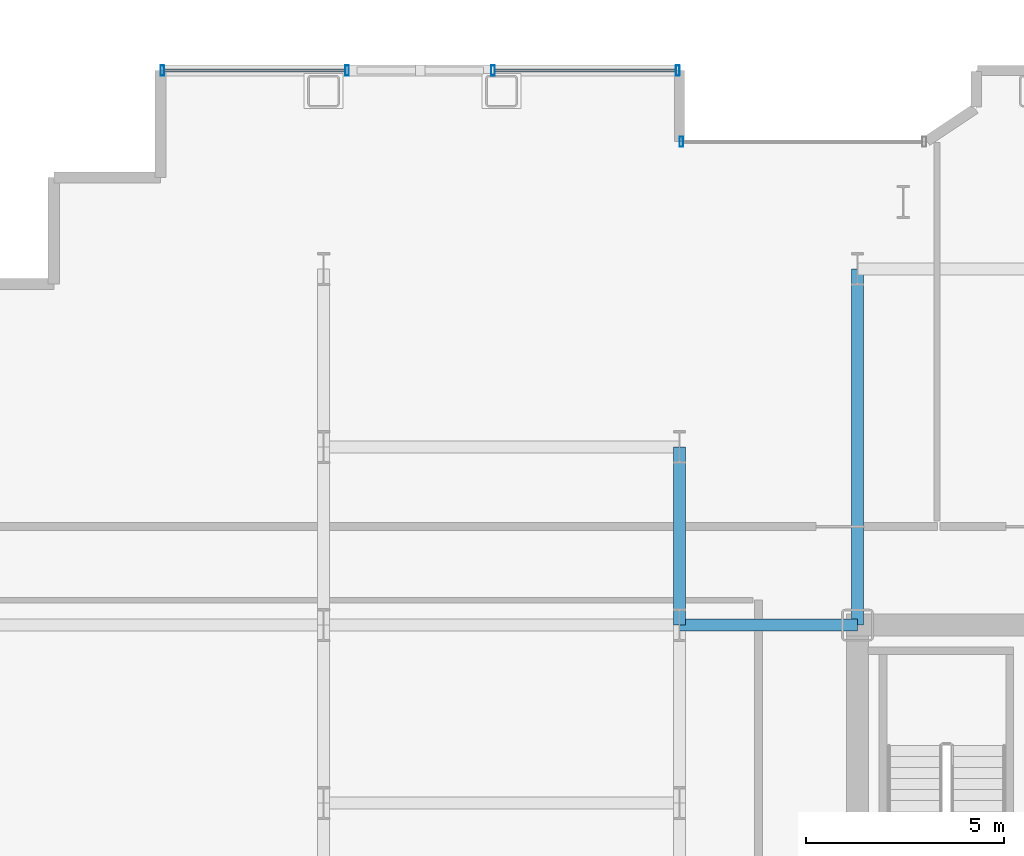
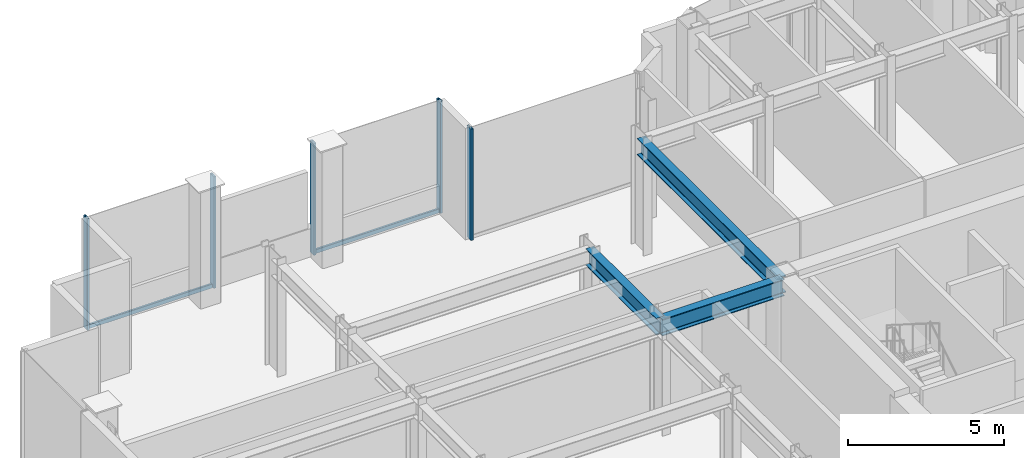
# One storey, part 12 of 26: 7 members, 3 beams, 3 elements without a shape of their own.
"""IFC4 building model written with IfcOpenShell, lengths in metres."""

import ifcopenshell
import ifcopenshell.guid

model = None  # the IFC model being written
_history = None  # IfcOwnerHistory: only IFC2X3 demands one
_inside = {}  # id of a spatial element -> (the spatial element, [elements in it])
_under = {}  # id of a project, library or spatial element -> (it, [spatial elements below it])
_declared = {}  # id of a project -> (the project, [libraries it declares])
_typed = {}  # id of a type object -> (the type object, [elements of that type])
_made_of = {}  # id of a material, layer set ... -> (it, [elements and type objects made of it])


def new_model(schema):
    """Start an empty IFC model of exactly this schema.

    Asked for "IFC4X3", IfcOpenShell would pick the latest addendum, in which some entities
    have other attributes; the version numbers below select the first issue.
    IFC2X3 requires an IfcOwnerHistory on every rooted entity: one is made here for all.
    """
    global model, _history
    if schema == "IFC4X3":
        model = ifcopenshell.file(schema_version=(4, 3, 0, 0))
    else:
        model = ifcopenshell.file(schema=schema)
    _inside.clear()
    _under.clear()
    _declared.clear()
    _typed.clear()
    _made_of.clear()
    _history = None
    if model.schema == "IFC2X3":
        org = make("IfcOrganization", Name="unknown")
        user = make(
            "IfcPersonAndOrganization",
            ThePerson=make("IfcPerson", FamilyName="unknown"),
            TheOrganization=org,
        )
        app = make(
            "IfcApplication",
            ApplicationDeveloper=org,
            Version="unknown",
            ApplicationFullName="unknown",
            ApplicationIdentifier="unknown",
        )
        _history = make(
            "IfcOwnerHistory",
            OwningUser=user,
            OwningApplication=app,
            ChangeAction="ADDED",
            CreationDate=0,
        )
    return model


def make(cls, **values):
    """One entity of the class cls with the attributes given. An attribute that is None is left unset."""
    return model.create_entity(
        cls, **{name: value for name, value in values.items() if value is not None}
    )


def rooted(cls, **values):
    """An entity with a GlobalId (a new one), such as an element, a storey or a relation."""
    return make(cls, GlobalId=ifcopenshell.guid.new(), OwnerHistory=_history, **values)


def si_unit(unit_type, name, prefix=None):
    """IfcSIUnit, for example si_unit("LENGTHUNIT", "METRE", prefix="MILLI")."""
    return make("IfcSIUnit", UnitType=unit_type, Prefix=prefix, Name=name)


def assignment(units):
    """IfcUnitAssignment: the units of a project."""
    return None if units is None else make("IfcUnitAssignment", Units=units)


def point(xyz):
    """IfcCartesianPoint."""
    return None if xyz is None else make("IfcCartesianPoint", Coordinates=xyz)


def direction(xyz):
    """IfcDirection."""
    return None if xyz is None else make("IfcDirection", DirectionRatios=xyz)


def frame(location, z_axis=None, x_axis=None):
    """IfcAxis2Placement3D, a coordinate frame: its origin and axes. An axis left out is left unset."""
    return make(
        "IfcAxis2Placement3D",
        Location=point(location),
        Axis=direction(z_axis),
        RefDirection=direction(x_axis),
    )


def frame_2d(location, x_axis=None):
    """IfcAxis2Placement2D, a coordinate frame in the plane: its origin and x axis."""
    return make(
        "IfcAxis2Placement2D", Location=point(location), RefDirection=direction(x_axis)
    )


def origin():
    """The frame at (0, 0, 0) with its axes left unset."""
    return frame((0.0, 0.0, 0.0))


def origin_2d():
    """The frame at (0, 0) in the plane with its x axis left unset."""
    return frame_2d((0.0, 0.0))


def place(relative_to, where):
    """IfcLocalPlacement: puts the frame where relative to a parent placement (None: the world)."""
    return make(
        "IfcLocalPlacement", PlacementRelTo=relative_to, RelativePlacement=where
    )


def context(
    kind, dimensions, precision=None, world=None, true_north=None, identifier=None
):
    """IfcGeometricRepresentationContext, for example the 3D "Model" context."""
    return make(
        "IfcGeometricRepresentationContext",
        ContextIdentifier=identifier,
        ContextType=kind,
        CoordinateSpaceDimension=dimensions,
        Precision=precision,
        WorldCoordinateSystem=world,
        TrueNorth=true_north,
    )


def subcontext(parent, identifier, kind, view, scale=None):
    """IfcGeometricRepresentationSubContext, for example "Body" below "Model"."""
    return make(
        "IfcGeometricRepresentationSubContext",
        ContextIdentifier=identifier,
        ContextType=kind,
        ParentContext=parent,
        TargetScale=scale,
        TargetView=view,
    )


def project(units=None, contexts=None):
    """IfcProject with its units and contexts."""
    return rooted(
        "IfcProject",
        Name="project",
        RepresentationContexts=contexts,
        UnitsInContext=assignment(units),
    )


def spatial(cls, under=None, at=None, **own):
    """A site, building, storey or space (cls), placed at a placement, below another one or the project."""
    s = rooted(cls, ObjectPlacement=at, **own)
    if under is not None:
        _under.setdefault(under.id(), (under, []))[1].append(s)
    return s


def profile(cls, at=None, kind="AREA", **sizes):
    """A parametric profile (cls). Its sizes go by their IFC names, for example OverallWidth=200.0."""
    return make(cls, ProfileType=kind, Position=at, **sizes)


def hollow_rectangle(**sizes):
    """IfcRectangleHollowProfileDef."""
    return profile("IfcRectangleHollowProfileDef", **sizes)


def i_section(**sizes):
    """IfcIShapeProfileDef."""
    return profile("IfcIShapeProfileDef", **sizes)


def extrude(swept, where, along, depth):
    """IfcExtrudedAreaSolid: the profile swept, set in the frame where, extruded along a direction by depth."""
    return make(
        "IfcExtrudedAreaSolid",
        SweptArea=swept,
        Position=where,
        ExtrudedDirection=direction(along),
        Depth=depth,
    )


def shape(context_of_items, identifier, shape_type, items):
    """IfcShapeRepresentation: the items that make up one representation, for example the "Body"."""
    return make(
        "IfcShapeRepresentation",
        ContextOfItems=context_of_items,
        RepresentationIdentifier=identifier,
        RepresentationType=shape_type,
        Items=items,
    )


def source(mapping_origin, context_of_items, identifier, shape_type, items):
    """IfcRepresentationMap: a shape defined once, which mapped items show again and again."""
    return make(
        "IfcRepresentationMap",
        MappingOrigin=mapping_origin,
        MappedRepresentation=shape(context_of_items, identifier, shape_type, items),
    )


def transform(
    local_origin,
    x_axis=None,
    y_axis=None,
    z_axis=None,
    scale=None,
    scale2=None,
    scale3=None,
    uniform=True,
):
    """IfcCartesianTransformationOperator3D, or its non-uniform kind. x_axis, y_axis, z_axis: its Axis1, 2, 3."""
    if uniform:
        return make(
            "IfcCartesianTransformationOperator3D",
            Axis1=direction(x_axis),
            Axis2=direction(y_axis),
            LocalOrigin=point(local_origin),
            Scale=scale,
            Axis3=direction(z_axis),
        )
    return make(
        "IfcCartesianTransformationOperator3DnonUniform",
        Axis1=direction(x_axis),
        Axis2=direction(y_axis),
        LocalOrigin=point(local_origin),
        Scale=scale,
        Axis3=direction(z_axis),
        Scale2=scale2,
        Scale3=scale3,
    )


def mapped(mapping_source, mapping_target):
    """IfcMappedItem: shows the shape of a source again, moved by a transform."""
    return make(
        "IfcMappedItem", MappingSource=mapping_source, MappingTarget=mapping_target
    )


def material(Name=None, Category=None):
    """IfcMaterial."""
    return make("IfcMaterial", Name=Name, Category=Category)


def layer(
    of_material, thickness, ventilated=None, Name=None, Category=None, Priority=None
):
    """IfcMaterialLayer: one layer of a wall or slab, of a material (None: an air gap)."""
    return make(
        "IfcMaterialLayer",
        Material=of_material,
        LayerThickness=thickness,
        IsVentilated=ventilated,
        Name=Name,
        Category=Category,
        Priority=Priority,
    )


def layer_set(layers, Name=None):
    """IfcMaterialLayerSet."""
    return make("IfcMaterialLayerSet", MaterialLayers=layers, LayerSetName=Name)


def material_profile(
    of_material, cross_section, Name=None, Category=None, Priority=None
):
    """IfcMaterialProfile: a cross section and its material."""
    return make(
        "IfcMaterialProfile",
        Name=Name,
        Material=of_material,
        Profile=cross_section,
        Priority=Priority,
        Category=Category,
    )


def profile_set(profiles, Name=None, composite=None):
    """IfcMaterialProfileSet."""
    return make(
        "IfcMaterialProfileSet",
        Name=Name,
        MaterialProfiles=profiles,
        CompositeProfile=composite,
    )


def made_of(thing, what):
    """Note that an element or type object is made of a material, layer set ...; save() writes the relation."""
    if what is not None:
        _made_of.setdefault(what.id(), (what, []))[1].append(thing)
    return thing


def type_object(cls, material=None, **own):
    """A type object (cls), such as IfcWallType, which elements share."""
    return made_of(rooted(cls, **own), material)


def element(
    cls,
    number,
    at=None,
    inside=None,
    cuts=None,
    type_object=None,
    material=None,
    context=None,
    identifier="Body",
    shape_type=None,
    held_by="IfcProductDefinitionShape",
    body=None,
    shapes=None,
    **own,
):
    """One element of the class cls, such as IfcWall. Its Tag is "e" and its number.

    at: its placement. inside: the storey or other place that contains it. cuts: it is an
    opening in that element (IfcRelVoidsElement). A single representation is given by context,
    identifier, shape_type and body (its items); several are given by shapes. held_by: the class
    of the entity that holds the representations. save() writes the other relations.
    """
    e = rooted(cls, Tag="e%d" % number, ObjectPlacement=at, **own)
    if body is not None:
        shapes = [shape(context, identifier, shape_type, body)]
    if shapes is not None:
        e.Representation = make(held_by, Representations=shapes)
    if inside is not None:
        _inside.setdefault(inside.id(), (inside, []))[1].append(e)
    if cuts is not None:
        rooted(
            "IfcRelVoidsElement", RelatingBuildingElement=cuts, RelatedOpeningElement=e
        )
    if type_object is not None:
        _typed.setdefault(type_object.id(), (type_object, []))[1].append(e)
    return made_of(e, material)


def aggregate(whole, parts):
    """IfcRelAggregates: a whole, such as a stair, and the parts it consists of."""
    return rooted("IfcRelAggregates", RelatingObject=whole, RelatedObjects=parts)


def save(model, path):
    """Write the relations noted so far, then the file.

    IfcRelAggregates (storeys below a building ...), IfcRelContainedInSpatialStructure (elements
    in a storey), IfcRelDefinesByType, IfcRelAssociatesMaterial and IfcRelDeclares: one each for
    every whole, place, type object, material and project.
    """
    for whole, parts in _under.values():
        aggregate(whole, parts)
    for where, things in _inside.values():
        rooted(
            "IfcRelContainedInSpatialStructure",
            RelatedElements=things,
            RelatingStructure=where,
        )
    for kind, things in _typed.values():
        rooted("IfcRelDefinesByType", RelatedObjects=things, RelatingType=kind)
    for what, things in _made_of.values():
        rooted("IfcRelAssociatesMaterial", RelatedObjects=things, RelatingMaterial=what)
    for by, libraries in _declared.values():
        rooted("IfcRelDeclares", RelatingContext=by, RelatedDefinitions=libraries)
    model.write(path)


model = new_model("IFC4")

# Units and contexts
model_context = context("Model", 3, precision=1e-05, world=origin(), true_north=direction((0.0, 1.0)))
body_context = subcontext(model_context, "Body", "Model", "MODEL_VIEW")
ifc_project = project(units=[si_unit("LENGTHUNIT", "METRE"), si_unit("AREAUNIT", "SQUARE_METRE"), si_unit("VOLUMEUNIT", "CUBIC_METRE"), si_unit("PLANEANGLEUNIT", "RADIAN"), si_unit("MASSUNIT", "GRAM", prefix="KILO")], contexts=[model_context])

# Site, building, storey
site_placement = place(None, origin())
site = spatial("IfcSite", under=ifc_project, at=site_placement, CompositionType="ELEMENT")
building_placement = place(site_placement, origin())
building = spatial("IfcBuilding", under=site, at=building_placement, Name="Nefas-Gora Pilgrimage Tower", CompositionType="ELEMENT")
storey_placement = place(building_placement, frame((0.0, 0.0, 202.0)))
storey = spatial("IfcBuildingStorey", under=building, at=storey_placement, Name="L50", CompositionType="ELEMENT", Elevation=202.0)

# Beams
ifc_material_1 = material(Name="Steel S355", Category="steel")
ifc_material_profile_1 = material_profile(ifc_material_1, i_section(OverallWidth=0.300048828125, OverallDepth=0.64990234375, WebThickness=0.01611328125, FlangeThickness=0.031005859375, FilletRadius=0.027099609375, at=origin_2d()), Name="HEB 650")
ifc_profile_set_1 = profile_set([ifc_material_profile_1], Name="Steel S355")
beam_type = type_object("IfcBeamType", Name="BM-GIR-HEB650", PredefinedType="BEAM", material=ifc_profile_set_1)
shared_shape_1 = source(origin(), body_context, "Body", "SweptSolid", [
    extrude(i_section(OverallWidth=0.300048828125, OverallDepth=0.64990234375, WebThickness=0.01611328125, FlangeThickness=0.031005859375, FilletRadius=0.027099609375, at=origin_2d()), origin(), (0.0, 0.0, 1.0), 9.0),
])
beam_placement = place(storey_placement, frame((-11.25, 9.0, 4.02490234375), z_axis=(0.0, 1.0, 0.0), x_axis=(-1.0, 0.0, 0.0)))
element("IfcBeam", 1, at=beam_placement, inside=storey, type_object=beam_type, Name="L50 G-03 beam", PredefinedType="BEAM", context=body_context, shape_type="MappedRepresentation", body=[
    mapped(shared_shape_1, transform((0.0, 0.0, 0.0), x_axis=(1.0, 0.0, 0.0), y_axis=(0.0, 1.0, 0.0), z_axis=(0.0, 0.0, 1.0), scale=1.0)),
])
shared_shape_2 = source(origin(), body_context, "Body", "SweptSolid", [
    extrude(i_section(OverallWidth=0.300048828125, OverallDepth=0.64990234375, WebThickness=0.01611328125, FlangeThickness=0.031005859375, FilletRadius=0.027099609375, at=origin_2d()), origin(), (0.0, 0.0, 1.0), 4.5),
])
for number, where, z_axis, x_axis, name in (
    (2, (-15.75, 9.0, 4.02490234375), (0.0, 1.0, 0.0), (-1.0, 0.0, 0.0), "L50 G-03 beam"),
    (3, (-15.75, 9.0, 4.02490234375), (1.0, 0.0, 0.0), (0.0, 1.0, 0.0), "L50 G-03 beam"),
):
    element("IfcBeam", number, at=place(storey_placement, frame(where, z_axis=z_axis, x_axis=x_axis)), inside=storey, type_object=beam_type, Name=name, PredefinedType="BEAM", context=body_context, shape_type="MappedRepresentation", body=[
        mapped(shared_shape_2, transform((0.0, 0.0, 0.0), x_axis=(1.0, 0.0, 0.0), y_axis=(0.0, 1.0, 0.0), z_axis=(0.0, 0.0, 1.0), scale=1.0)),
    ])

# Curtain wall, member
ifc_material_2 = material(Name="Dark ceramic-fritted solar-control aluminium-glass curtain wall", Category="aluminium")
ifc_layer_1 = layer(ifc_material_2, 0.219970703125)
ifc_layer_set_1 = layer_set([ifc_layer_1], Name="Dark ceramic-fritted solar-control aluminium-glass curtain wall")
curtain_wall_type_1 = type_object("IfcCurtainWallType", Name="CW-SYS-5", PredefinedType="NOTDEFINED", material=ifc_layer_set_1)
curtain_wall_1_placement = place(storey_placement, origin())
curtain_wall_1 = element("IfcCurtainWall", 4, at=curtain_wall_1_placement, inside=storey, type_object=curtain_wall_type_1, Name="L50 Unitised Curtain Wall CW5", PredefinedType="NOTDEFINED")
ifc_material_3 = material(Name="Anodised architectural aluminium", Category="aluminium")
ifc_material_profile_2 = material_profile(ifc_material_3, hollow_rectangle(XDim=0.090087890625, YDim=0.260009765625, WallThickness=0.006103515625, InnerFilletRadius=0.006103515625, OuterFilletRadius=0.011962890625, at=origin_2d()), Name="ALU MULLION 90x260")
ifc_profile_set_2 = profile_set([ifc_material_profile_2], Name="Anodised architectural aluminium")
member_type_1 = type_object("IfcMemberType", Name="CWM-MUL-5", PredefinedType="MULLION", material=ifc_profile_set_2)
shared_shape_3 = source(origin(), body_context, "Body", "SweptSolid", [
    extrude(hollow_rectangle(XDim=0.090087890625, YDim=0.260009765625, WallThickness=0.006103515625, InnerFilletRadius=0.006103515625, OuterFilletRadius=0.011962890625, at=origin_2d()), origin(), (0.0, 0.0, 1.0), 4.35009765625),
])
member_1_placement = place(storey_placement, frame((-15.705078125, 21.219970703125, 0.0), z_axis=(0.0, 0.0, 1.0), x_axis=(-1.0, 0.0, 0.0)))
member_1 = element("IfcMember", 5, at=member_1_placement, type_object=member_type_1, Name="CW5 Mullion 2", PredefinedType="MULLION", context=body_context, shape_type="MappedRepresentation", body=[
    mapped(shared_shape_3, transform((0.0, 0.0, 0.0), x_axis=(1.0, 0.0, 0.0), y_axis=(0.0, 1.0, 0.0), z_axis=(0.0, 0.0, 1.0), scale=1.0)),
])
aggregate(curtain_wall_1, [member_1])

# Curtain wall, members
ifc_layer_2 = layer(ifc_material_2, 0.219970703125)
ifc_layer_set_2 = layer_set([ifc_layer_2], Name="Dark ceramic-fritted solar-control aluminium-glass curtain wall")
curtain_wall_type_2 = type_object("IfcCurtainWallType", Name="CW-SYS-3", PredefinedType="NOTDEFINED", material=ifc_layer_set_2)
curtain_wall_2_placement = place(storey_placement, origin())
curtain_wall_2 = element("IfcCurtainWall", 6, at=curtain_wall_2_placement, inside=storey, type_object=curtain_wall_type_2, Name="L50 Unitised Curtain Wall CW3", PredefinedType="NOTDEFINED")
ifc_material_profile_3 = material_profile(ifc_material_3, hollow_rectangle(XDim=0.090087890625, YDim=0.260009765625, WallThickness=0.006103515625, InnerFilletRadius=0.006103515625, OuterFilletRadius=0.011962890625, at=origin_2d()), Name="ALU MULLION 90x260")
ifc_profile_set_3 = profile_set([ifc_material_profile_3], Name="Anodised architectural aluminium")
member_type_2 = type_object("IfcMemberType", Name="CWM-MUL-3", PredefinedType="MULLION", material=ifc_profile_set_3)
shared_shape_4 = source(origin(), body_context, "Body", "SweptSolid", [
    extrude(hollow_rectangle(XDim=0.090087890625, YDim=0.260009765625, WallThickness=0.006103515625, InnerFilletRadius=0.006103515625, OuterFilletRadius=0.011962890625, at=origin_2d()), origin(), (0.0, 0.0, 1.0), 4.35009765625),
])
member_2_placement = place(storey_placement, frame((-15.794921875, 23.02001953125, 0.0), z_axis=(0.0, 0.0, 1.0), x_axis=(-1.0, 0.0, 0.0)))
member_2 = element("IfcMember", 7, at=member_2_placement, type_object=member_type_2, Name="CW3 Mullion 1", PredefinedType="MULLION", context=body_context, shape_type="MappedRepresentation", body=[
    mapped(shared_shape_4, transform((0.0, 0.0, 0.0), x_axis=(1.0, 0.0, 0.0), y_axis=(0.0, 1.0, 0.0), z_axis=(0.0, 0.0, 1.0), scale=1.0)),
])
member_3_placement = place(storey_placement, frame((-20.465087890625, 23.02001953125, 0.0), z_axis=(0.0, 0.0, 1.0), x_axis=(-1.0, 0.0, 0.0)))
member_3 = element("IfcMember", 8, at=member_3_placement, type_object=member_type_2, Name="CW3 Mullion 2", PredefinedType="MULLION", context=body_context, shape_type="MappedRepresentation", body=[
    mapped(shared_shape_4, transform((0.0, 0.0, 0.0), x_axis=(1.0, 0.0, 0.0), y_axis=(0.0, 1.0, 0.0), z_axis=(0.0, 0.0, 1.0), scale=1.0)),
])

curtain_wall_3_placement = place(storey_placement, origin())
curtain_wall_3 = element("IfcCurtainWall", 9, at=curtain_wall_3_placement, inside=storey, type_object=curtain_wall_type_2, Name="L50 Unitised Curtain Wall CW3", PredefinedType="NOTDEFINED")
member_4_placement = place(storey_placement, frame((-24.155029296875, 23.02001953125, 0.0), z_axis=(0.0, 0.0, 1.0), x_axis=(-1.0, 0.0, 0.0)))
member_4 = element("IfcMember", 10, at=member_4_placement, type_object=member_type_2, Name="CW3 Mullion 1", PredefinedType="MULLION", context=body_context, shape_type="MappedRepresentation", body=[
    mapped(shared_shape_4, transform((0.0, 0.0, 0.0), x_axis=(1.0, 0.0, 0.0), y_axis=(0.0, 1.0, 0.0), z_axis=(0.0, 0.0, 1.0), scale=1.0)),
])
member_5_placement = place(storey_placement, frame((-28.824951171875, 23.02001953125, 0.0), z_axis=(0.0, 0.0, 1.0), x_axis=(-1.0, 0.0, 0.0)))
member_5 = element("IfcMember", 11, at=member_5_placement, type_object=member_type_2, Name="CW3 Mullion 2", PredefinedType="MULLION", context=body_context, shape_type="MappedRepresentation", body=[
    mapped(shared_shape_4, transform((0.0, 0.0, 0.0), x_axis=(1.0, 0.0, 0.0), y_axis=(0.0, 1.0, 0.0), z_axis=(0.0, 0.0, 1.0), scale=1.0)),
])

# Member
ifc_material_profile_4 = material_profile(ifc_material_3, hollow_rectangle(XDim=0.080078125, YDim=0.159912109375, WallThickness=0.00439453125, InnerFilletRadius=0.00439453125, OuterFilletRadius=0.009033203125, at=origin_2d()), Name="ALU TRANSOM 80x160")
ifc_profile_set_4 = profile_set([ifc_material_profile_4], Name="Anodised architectural aluminium")
member_type_3 = type_object("IfcMemberType", Name="CWM-TRN-3", PredefinedType="USERDEFINED", material=ifc_profile_set_4)
shared_shape_5 = source(origin(), body_context, "Body", "SweptSolid", [
    extrude(hollow_rectangle(XDim=0.080078125, YDim=0.159912109375, WallThickness=0.00439453125, InnerFilletRadius=0.00439453125, OuterFilletRadius=0.009033203125, at=origin_2d()), origin(), (0.0, 0.0, 1.0), 4.579833984375),
])
member_6_placement = place(storey_placement, frame((-15.840087890625, 23.02001953125, 0.050048828125), z_axis=(-1.0, 0.0, 0.0), x_axis=(0.0, -1.0, 0.0)))
member_6 = element("IfcMember", 12, at=member_6_placement, type_object=member_type_3, Name="CW3 Spandrel Transom", ObjectType="TRANSOM", PredefinedType="USERDEFINED", context=body_context, shape_type="MappedRepresentation", body=[
    mapped(shared_shape_5, transform((0.0, 0.0, 0.0), x_axis=(1.0, 0.0, 0.0), y_axis=(0.0, 1.0, 0.0), z_axis=(0.0, 0.0, 1.0), scale=1.0)),
])

aggregate(curtain_wall_2, [member_2, member_3, member_6])

shared_shape_6 = source(origin(), body_context, "Body", "SweptSolid", [
    extrude(hollow_rectangle(XDim=0.080078125, YDim=0.159912109375, WallThickness=0.00439453125, InnerFilletRadius=0.00439453125, OuterFilletRadius=0.009033203125, at=origin_2d()), origin(), (0.0, 0.0, 1.0), 4.580078125),
])
member_7_placement = place(storey_placement, frame((-24.199951171875, 23.02001953125, 0.050048828125), z_axis=(-1.0, 0.0, 0.0), x_axis=(0.0, -1.0, 0.0)))
member_7 = element("IfcMember", 13, at=member_7_placement, type_object=member_type_3, Name="CW3 Spandrel Transom", ObjectType="TRANSOM", PredefinedType="USERDEFINED", context=body_context, shape_type="MappedRepresentation", body=[
    mapped(shared_shape_6, transform((0.0, 0.0, 0.0), x_axis=(1.0, 0.0, 0.0), y_axis=(0.0, 1.0, 0.0), z_axis=(0.0, 0.0, 1.0), scale=1.0)),
])

aggregate(curtain_wall_3, [member_4, member_5, member_7])

save(model, "model.ifc")
